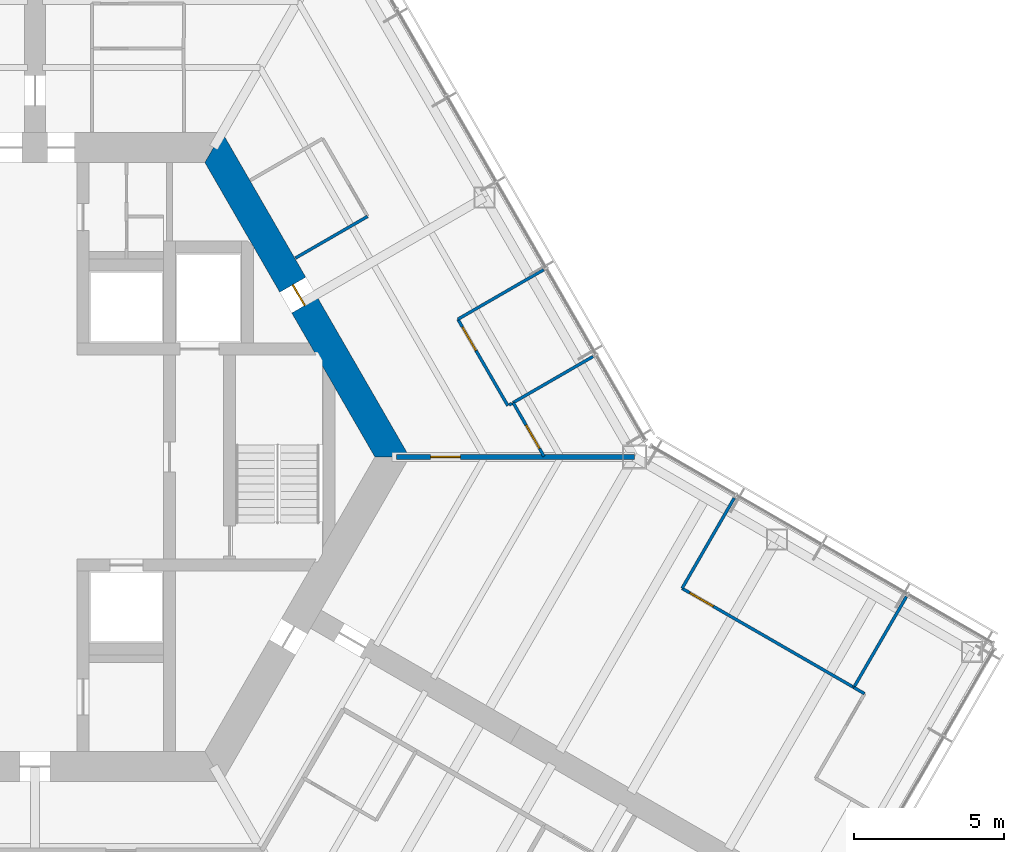
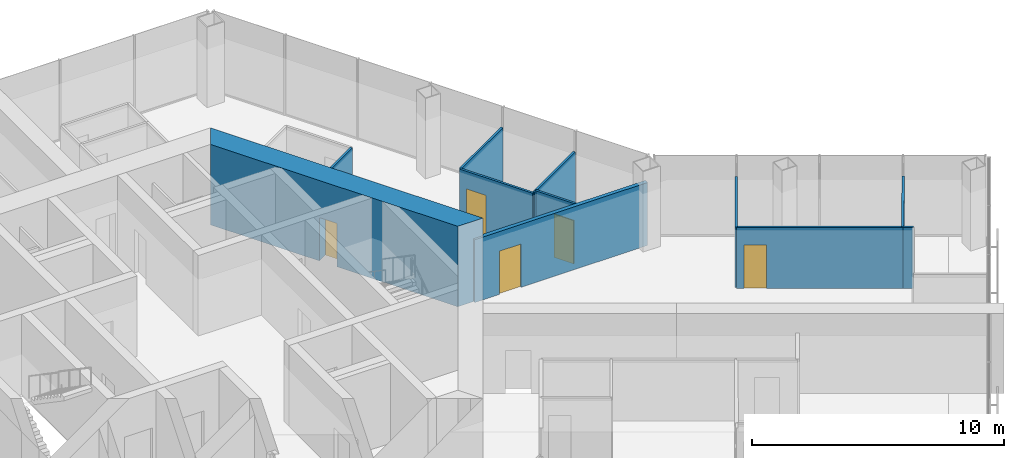
# One storey, part 14 of 18: 12 walls, 5 doors, 5 openings.
"""IFC4 building model written with IfcOpenShell, lengths in metres."""

import ifcopenshell
import ifcopenshell.guid

model = None  # the IFC model being written
_history = None  # IfcOwnerHistory: only IFC2X3 demands one
_inside = {}  # id of a spatial element -> (the spatial element, [elements in it])
_under = {}  # id of a project, library or spatial element -> (it, [spatial elements below it])
_declared = {}  # id of a project -> (the project, [libraries it declares])
_typed = {}  # id of a type object -> (the type object, [elements of that type])
_made_of = {}  # id of a material, layer set ... -> (it, [elements and type objects made of it])


def new_model(schema):
    """Start an empty IFC model of exactly this schema.

    Asked for "IFC4X3", IfcOpenShell would pick the latest addendum, in which some entities
    have other attributes; the version numbers below select the first issue.
    IFC2X3 requires an IfcOwnerHistory on every rooted entity: one is made here for all.
    """
    global model, _history
    if schema == "IFC4X3":
        model = ifcopenshell.file(schema_version=(4, 3, 0, 0))
    else:
        model = ifcopenshell.file(schema=schema)
    _inside.clear()
    _under.clear()
    _declared.clear()
    _typed.clear()
    _made_of.clear()
    _history = None
    if model.schema == "IFC2X3":
        org = make("IfcOrganization", Name="unknown")
        user = make(
            "IfcPersonAndOrganization",
            ThePerson=make("IfcPerson", FamilyName="unknown"),
            TheOrganization=org,
        )
        app = make(
            "IfcApplication",
            ApplicationDeveloper=org,
            Version="unknown",
            ApplicationFullName="unknown",
            ApplicationIdentifier="unknown",
        )
        _history = make(
            "IfcOwnerHistory",
            OwningUser=user,
            OwningApplication=app,
            ChangeAction="ADDED",
            CreationDate=0,
        )
    return model


def make(cls, **values):
    """One entity of the class cls with the attributes given. An attribute that is None is left unset."""
    return model.create_entity(
        cls, **{name: value for name, value in values.items() if value is not None}
    )


def rooted(cls, **values):
    """An entity with a GlobalId (a new one), such as an element, a storey or a relation."""
    return make(cls, GlobalId=ifcopenshell.guid.new(), OwnerHistory=_history, **values)


def si_unit(unit_type, name, prefix=None):
    """IfcSIUnit, for example si_unit("LENGTHUNIT", "METRE", prefix="MILLI")."""
    return make("IfcSIUnit", UnitType=unit_type, Prefix=prefix, Name=name)


def assignment(units):
    """IfcUnitAssignment: the units of a project."""
    return None if units is None else make("IfcUnitAssignment", Units=units)


def point(xyz):
    """IfcCartesianPoint."""
    return None if xyz is None else make("IfcCartesianPoint", Coordinates=xyz)


def direction(xyz):
    """IfcDirection."""
    return None if xyz is None else make("IfcDirection", DirectionRatios=xyz)


def frame(location, z_axis=None, x_axis=None):
    """IfcAxis2Placement3D, a coordinate frame: its origin and axes. An axis left out is left unset."""
    return make(
        "IfcAxis2Placement3D",
        Location=point(location),
        Axis=direction(z_axis),
        RefDirection=direction(x_axis),
    )


def frame_2d(location, x_axis=None):
    """IfcAxis2Placement2D, a coordinate frame in the plane: its origin and x axis."""
    return make(
        "IfcAxis2Placement2D", Location=point(location), RefDirection=direction(x_axis)
    )


def origin():
    """The frame at (0, 0, 0) with its axes left unset."""
    return frame((0.0, 0.0, 0.0))


def place(relative_to, where):
    """IfcLocalPlacement: puts the frame where relative to a parent placement (None: the world)."""
    return make(
        "IfcLocalPlacement", PlacementRelTo=relative_to, RelativePlacement=where
    )


def context(
    kind, dimensions, precision=None, world=None, true_north=None, identifier=None
):
    """IfcGeometricRepresentationContext, for example the 3D "Model" context."""
    return make(
        "IfcGeometricRepresentationContext",
        ContextIdentifier=identifier,
        ContextType=kind,
        CoordinateSpaceDimension=dimensions,
        Precision=precision,
        WorldCoordinateSystem=world,
        TrueNorth=true_north,
    )


def subcontext(parent, identifier, kind, view, scale=None):
    """IfcGeometricRepresentationSubContext, for example "Body" below "Model"."""
    return make(
        "IfcGeometricRepresentationSubContext",
        ContextIdentifier=identifier,
        ContextType=kind,
        ParentContext=parent,
        TargetScale=scale,
        TargetView=view,
    )


def project(units=None, contexts=None):
    """IfcProject with its units and contexts."""
    return rooted(
        "IfcProject",
        Name="project",
        RepresentationContexts=contexts,
        UnitsInContext=assignment(units),
    )


def spatial(cls, under=None, at=None, **own):
    """A site, building, storey or space (cls), placed at a placement, below another one or the project."""
    s = rooted(cls, ObjectPlacement=at, **own)
    if under is not None:
        _under.setdefault(under.id(), (under, []))[1].append(s)
    return s


def polyline(points):
    """IfcPolyline through the points."""
    return make("IfcPolyline", Points=[point(p) for p in points])


def profile(cls, at=None, kind="AREA", **sizes):
    """A parametric profile (cls). Its sizes go by their IFC names, for example OverallWidth=200.0."""
    return make(cls, ProfileType=kind, Position=at, **sizes)


def rectangle(**sizes):
    """IfcRectangleProfileDef."""
    return profile("IfcRectangleProfileDef", **sizes)


def outline(outer, holes=None, kind="AREA"):
    """IfcArbitraryClosedProfileDef: a profile drawn as a closed curve; with holes, ...WithVoids."""
    if holes is None:
        return make("IfcArbitraryClosedProfileDef", ProfileType=kind, OuterCurve=outer)
    return make(
        "IfcArbitraryProfileDefWithVoids",
        ProfileType=kind,
        OuterCurve=outer,
        InnerCurves=holes,
    )


def extrude(swept, where, along, depth):
    """IfcExtrudedAreaSolid: the profile swept, set in the frame where, extruded along a direction by depth."""
    return make(
        "IfcExtrudedAreaSolid",
        SweptArea=swept,
        Position=where,
        ExtrudedDirection=direction(along),
        Depth=depth,
    )


def shape(context_of_items, identifier, shape_type, items):
    """IfcShapeRepresentation: the items that make up one representation, for example the "Body"."""
    return make(
        "IfcShapeRepresentation",
        ContextOfItems=context_of_items,
        RepresentationIdentifier=identifier,
        RepresentationType=shape_type,
        Items=items,
    )


def material(Name=None, Category=None):
    """IfcMaterial."""
    return make("IfcMaterial", Name=Name, Category=Category)


def layer(
    of_material, thickness, ventilated=None, Name=None, Category=None, Priority=None
):
    """IfcMaterialLayer: one layer of a wall or slab, of a material (None: an air gap)."""
    return make(
        "IfcMaterialLayer",
        Material=of_material,
        LayerThickness=thickness,
        IsVentilated=ventilated,
        Name=Name,
        Category=Category,
        Priority=Priority,
    )


def layer_set(layers, Name=None):
    """IfcMaterialLayerSet."""
    return make("IfcMaterialLayerSet", MaterialLayers=layers, LayerSetName=Name)


def made_of(thing, what):
    """Note that an element or type object is made of a material, layer set ...; save() writes the relation."""
    if what is not None:
        _made_of.setdefault(what.id(), (what, []))[1].append(thing)
    return thing


def type_object(cls, material=None, **own):
    """A type object (cls), such as IfcWallType, which elements share."""
    return made_of(rooted(cls, **own), material)


def element(
    cls,
    number,
    at=None,
    inside=None,
    cuts=None,
    type_object=None,
    material=None,
    context=None,
    identifier="Body",
    shape_type=None,
    held_by="IfcProductDefinitionShape",
    body=None,
    shapes=None,
    **own,
):
    """One element of the class cls, such as IfcWall. Its Tag is "e" and its number.

    at: its placement. inside: the storey or other place that contains it. cuts: it is an
    opening in that element (IfcRelVoidsElement). A single representation is given by context,
    identifier, shape_type and body (its items); several are given by shapes. held_by: the class
    of the entity that holds the representations. save() writes the other relations.
    """
    e = rooted(cls, Tag="e%d" % number, ObjectPlacement=at, **own)
    if body is not None:
        shapes = [shape(context, identifier, shape_type, body)]
    if shapes is not None:
        e.Representation = make(held_by, Representations=shapes)
    if inside is not None:
        _inside.setdefault(inside.id(), (inside, []))[1].append(e)
    if cuts is not None:
        rooted(
            "IfcRelVoidsElement", RelatingBuildingElement=cuts, RelatedOpeningElement=e
        )
    if type_object is not None:
        _typed.setdefault(type_object.id(), (type_object, []))[1].append(e)
    return made_of(e, material)


def fill(opening, filler):
    """IfcRelFillsElement: the door or window that sits in an opening."""
    return rooted(
        "IfcRelFillsElement",
        RelatingOpeningElement=opening,
        RelatedBuildingElement=filler,
    )


def aggregate(whole, parts):
    """IfcRelAggregates: a whole, such as a stair, and the parts it consists of."""
    return rooted("IfcRelAggregates", RelatingObject=whole, RelatedObjects=parts)


def save(model, path):
    """Write the relations noted so far, then the file.

    IfcRelAggregates (storeys below a building ...), IfcRelContainedInSpatialStructure (elements
    in a storey), IfcRelDefinesByType, IfcRelAssociatesMaterial and IfcRelDeclares: one each for
    every whole, place, type object, material and project.
    """
    for whole, parts in _under.values():
        aggregate(whole, parts)
    for where, things in _inside.values():
        rooted(
            "IfcRelContainedInSpatialStructure",
            RelatedElements=things,
            RelatingStructure=where,
        )
    for kind, things in _typed.values():
        rooted("IfcRelDefinesByType", RelatedObjects=things, RelatingType=kind)
    for what, things in _made_of.values():
        rooted("IfcRelAssociatesMaterial", RelatedObjects=things, RelatingMaterial=what)
    for by, libraries in _declared.values():
        rooted("IfcRelDeclares", RelatingContext=by, RelatedDefinitions=libraries)
    model.write(path)


model = new_model("IFC4")

# Units and contexts
model_context = context("Model", 3, precision=1e-05, world=origin(), true_north=direction((0.0, 1.0)))
body_context = subcontext(model_context, "Body", "Model", "MODEL_VIEW")
ifc_project = project(units=[si_unit("LENGTHUNIT", "METRE"), si_unit("AREAUNIT", "SQUARE_METRE"), si_unit("VOLUMEUNIT", "CUBIC_METRE"), si_unit("PLANEANGLEUNIT", "RADIAN"), si_unit("MASSUNIT", "GRAM", prefix="KILO")], contexts=[model_context])

# Site, building, storey
site_placement = place(None, origin())
site = spatial("IfcSite", under=ifc_project, at=site_placement, CompositionType="ELEMENT")
building_placement = place(site_placement, origin())
building = spatial("IfcBuilding", under=site, at=building_placement, Name="Kasaneha Research Tower", CompositionType="ELEMENT")
storey_placement = place(building_placement, frame((0.0, 0.0, 140.89990234375)))
storey = spatial("IfcBuildingStorey", under=building, at=storey_placement, Name="L35", CompositionType="ELEMENT", Elevation=140.89990234375)

# Wall, opening, door
ifc_material_1 = material(Name="Concrete Fc70", Category="concrete")
ifc_layer_1 = layer(ifc_material_1, 1.0)
ifc_layer_set_1 = layer_set([ifc_layer_1], Name="Core wall 1000 Fc70")
wall_type_1 = type_object("IfcWallType", Name="Core wall 1000 Fc70", PredefinedType="SHEAR", material=ifc_layer_set_1)
wall_1_placement = place(storey_placement, frame((11.92236328125, 0.0, 0.0), z_axis=(0.0, 0.0, 1.0), x_axis=(-0.500004296715, 0.866022923061, 0.0)))
wall_1 = element("IfcWall", 1, at=wall_1_placement, inside=storey, type_object=wall_type_1, Name="Core wall 030 L35", PredefinedType="SHEAR", context=body_context, shape_type="SweptSolid", body=[
    extrude(outline(polyline([(-0.28857421875, -0.5), (5.83544921875, -0.5), (6.635498046875, -0.5), (12.2109375, -0.5), (11.6337890625, 0.5), (6.635498046875, 0.5), (5.83544921875, 0.5), (0.28857421875, 0.5), (-0.28857421875, -0.5)])), origin(), (0.0, 0.0, 1.0), 3.900146484375),
])
opening_1_placement = place(wall_1_placement, frame((5.83544921875, 0.0, 0.0)))
opening_1 = element("IfcOpeningElement", 2, at=opening_1_placement, cuts=wall_1, Name="Opening L35-D04", PredefinedType="OPENING", context=body_context, shape_type="SweptSolid", body=[
    extrude(rectangle(XDim=0.800048828125, YDim=2.10009765625, at=frame_2d((0.39990234375, 1.050048828125))), frame((0.0, 0.510009765625, 0.0), z_axis=(0.0, -1.0, 0.0), x_axis=(1.0, 0.0, 0.0)), (0.0, 0.0, 1.0), 1.02001953125),
])
ifc_material_2 = material(Name="Steel", Category="steel")
door_type_1 = type_object("IfcDoorType", Name="Riser access door FD60 800x2100", OperationType="NOTDEFINED", PredefinedType="DOOR", material=ifc_material_2)
door_1_placement = place(opening_1_placement, origin())
door_1 = element("IfcDoor", 3, at=door_1_placement, inside=storey, type_object=door_type_1, Name="Pipe riser door L35-D04", OperationType="SINGLE_SWING_RIGHT", OverallHeight=2.10009765625, OverallWidth=0.800048828125, PredefinedType="DOOR", context=body_context, shape_type="SweptSolid", body=[
    extrude(rectangle(XDim=0.800048828125, YDim=2.10009765625, at=frame_2d((0.39990234375, 1.050048828125))), frame((0.0, 0.02490234375, 0.0), z_axis=(0.0, -1.0, 0.0), x_axis=(1.0, 0.0, 0.0)), (0.0, 0.0, 1.0), 0.050048828125),
])
fill(opening_1, door_1)

# Walls
ifc_material_3 = material(Name="Gypsum board on steel studs, one layer each side", Category="steel")
ifc_layer_2 = layer(ifc_material_3, 0.10009765625)
ifc_layer_set_2 = layer_set([ifc_layer_2], Name="Office partition 100")
wall_type_2 = type_object("IfcWallType", Name="Office partition 100", PredefinedType="PARTITIONING", material=ifc_layer_set_2)
wall_2_placement = place(storey_placement, frame((11.099609375, 8.02490234375, 0.0), z_axis=(0.0, 0.0, 1.0), x_axis=(-0.866056901187, -0.49994544093, 0.0)))
element("IfcWall", 4, at=wall_2_placement, inside=storey, type_object=wall_type_2, Name="Office partition FAE09 L35", PredefinedType="PARTITIONING", context=body_context, shape_type="SweptSolid", body=[
    extrude(rectangle(XDim=2.780029296875, YDim=0.10009765625, at=frame_2d((1.39013671875, 0.0))), origin(), (0.0, 0.0, 1.0), 2.9501953125),
])
wall_3_placement = place(storey_placement, frame((18.619873046875, 3.3505859375, 0.0), z_axis=(0.0, 0.0, 1.0), x_axis=(-0.866043267704, -0.499969057507, 0.0)))
element("IfcWall", 5, at=wall_3_placement, inside=storey, type_object=wall_type_2, Name="Office partition FAE10 L35", PredefinedType="PARTITIONING", context=body_context, shape_type="SweptSolid", body=[
    extrude(rectangle(XDim=3.085205078125, YDim=0.10009765625, at=frame_2d((1.54248046875, 0.0))), origin(), (0.0, 0.0, 1.0), 2.9501953125),
])
wall_4_placement = place(storey_placement, frame((14.11376953125, 4.59521484375, 0.0), z_axis=(0.0, 0.0, 1.0), x_axis=(0.866020751647, 0.500008057651, 0.0)))
element("IfcWall", 6, at=wall_4_placement, inside=storey, type_object=wall_type_2, Name="Office partition FAE11 L35", PredefinedType="PARTITIONING", context=body_context, shape_type="SweptSolid", body=[
    extrude(rectangle(XDim=3.30517578125, YDim=0.10009765625, at=frame_2d((1.652587890625, 0.0))), origin(), (0.0, 0.0, 1.0), 2.9501953125),
])

# Wall, opening, door
wall_5_placement = place(storey_placement, frame((15.779296875, 1.71044921875, 0.0), z_axis=(0.0, 0.0, 1.0), x_axis=(-0.500001606164, 0.866024476463, 0.0)))
wall_5 = element("IfcWall", 7, at=wall_5_placement, inside=storey, type_object=wall_type_2, Name="Office partition FAE12 L35", PredefinedType="PARTITIONING", context=body_context, shape_type="SweptSolid", body=[
    extrude(rectangle(XDim=3.3310546875, YDim=0.10009765625, at=frame_2d((1.66552734375, 0.0))), origin(), (0.0, 0.0, 1.0), 2.9501953125),
])
opening_2_placement = place(wall_5_placement, frame((2.131103515625, 0.0, 0.0)))
opening_2 = element("IfcOpeningElement", 8, at=opening_2_placement, cuts=wall_5, Name="Opening L35-D30", PredefinedType="OPENING", context=body_context, shape_type="SweptSolid", body=[
    extrude(rectangle(XDim=0.89990234375, YDim=2.10009765625, at=frame_2d((0.449951171875, 1.050048828125))), frame((0.0, 0.06005859375, 0.0), z_axis=(0.0, -1.0, 0.0), x_axis=(1.0, 0.0, 0.0)), (0.0, 0.0, 1.0), 0.1201171875),
])
ifc_material_4 = material(Name="Timber veneer", Category="wood")
door_type_2 = type_object("IfcDoorType", Name="Office door 900x2100", OperationType="SINGLE_SWING_LEFT", PredefinedType="DOOR", material=ifc_material_4)
door_2_placement = place(opening_2_placement, origin())
door_2 = element("IfcDoor", 9, at=door_2_placement, inside=storey, type_object=door_type_2, Name="Reception room door L35-D30", OperationType="SINGLE_SWING_RIGHT", OverallHeight=2.10009765625, OverallWidth=0.89990234375, PredefinedType="DOOR", context=body_context, shape_type="SweptSolid", body=[
    extrude(rectangle(XDim=0.89990234375, YDim=2.10009765625, at=frame_2d((0.449951171875, 1.050048828125))), frame((0.0, 0.02490234375, 0.0), z_axis=(0.0, -1.0, 0.0), x_axis=(1.0, 0.0, 0.0)), (0.0, 0.0, 1.0), 0.050048828125),
])
fill(opening_2, door_2)

wall_6_placement = place(storey_placement, frame((16.986083984375, 0.02001953125, 0.0), z_axis=(0.0, 0.0, 1.0), x_axis=(-0.498096123952, 0.867121820337, 0.0)))
wall_6 = element("IfcWall", 10, at=wall_6_placement, inside=storey, type_object=wall_type_2, Name="Office partition FAE13 L35", PredefinedType="PARTITIONING", context=body_context, shape_type="SweptSolid", body=[
    extrude(rectangle(XDim=2.0673828125, YDim=0.10009765625, at=frame_2d((1.03369140625, 0.0))), origin(), (0.0, 0.0, 1.0), 2.9501953125),
])
opening_3_placement = place(wall_6_placement, frame((0.300048828125, 0.0, 0.0)))
opening_3 = element("IfcOpeningElement", 11, at=opening_3_placement, cuts=wall_6, Name="Opening L35-D31", PredefinedType="OPENING", context=body_context, shape_type="SweptSolid", body=[
    extrude(rectangle(XDim=0.89990234375, YDim=2.10009765625, at=frame_2d((0.449951171875, 1.050048828125))), frame((0.0, 0.06005859375, 0.0), z_axis=(0.0, -1.0, 0.0), x_axis=(1.0, 0.0, 0.0)), (0.0, 0.0, 1.0), 0.1201171875),
])
door_3_placement = place(opening_3_placement, origin())
door_3 = element("IfcDoor", 12, at=door_3_placement, inside=storey, type_object=door_type_2, Name="Project room door L35-D31", OperationType="SINGLE_SWING_LEFT", OverallHeight=2.10009765625, OverallWidth=0.89990234375, PredefinedType="DOOR", context=body_context, shape_type="SweptSolid", body=[
    extrude(rectangle(XDim=0.89990234375, YDim=2.10009765625, at=frame_2d((0.449951171875, 1.050048828125))), frame((0.0, 0.02490234375, 0.0), z_axis=(0.0, -1.0, 0.0), x_axis=(1.0, 0.0, 0.0)), (0.0, 0.0, 1.0), 0.050048828125),
])
fill(opening_3, door_3)

# Walls
wall_7_placement = place(storey_placement, frame((29.077392578125, -4.65771484375, 0.0), z_axis=(0.0, 0.0, 1.0), x_axis=(-0.501313567819, -0.865265685625, 0.0)))
element("IfcWall", 13, at=wall_7_placement, inside=storey, type_object=wall_type_2, Name="Office partition FCE01 L35", PredefinedType="PARTITIONING", context=body_context, shape_type="SweptSolid", body=[
    extrude(rectangle(XDim=3.5048828125, YDim=0.10009765625, at=frame_2d((1.75244140625, 0.0))), origin(), (0.0, 0.0, 1.0), 2.9501953125),
])
wall_8_placement = place(storey_placement, frame((21.59228515625, -4.38330078125, 0.0), z_axis=(0.0, 0.0, 1.0), x_axis=(0.500009906705, 0.86601968407, 0.0)))
element("IfcWall", 14, at=wall_8_placement, inside=storey, type_object=wall_type_2, Name="Office partition FCE02 L35", PredefinedType="PARTITIONING", context=body_context, shape_type="SweptSolid", body=[
    extrude(rectangle(XDim=3.47998046875, YDim=0.10009765625, at=frame_2d((1.739990234375, 0.0))), origin(), (0.0, 0.0, 1.0), 2.9501953125),
])

# Wall, opening, door
wall_9_placement = place(storey_placement, frame((27.326904296875, -7.689697265625, 0.0), z_axis=(0.0, 0.0, 1.0), x_axis=(-0.866318796728, 0.499491483847, 0.0)))
wall_9 = element("IfcWall", 15, at=wall_9_placement, inside=storey, type_object=wall_type_2, Name="Office partition FCE03 L35", PredefinedType="PARTITIONING", context=body_context, shape_type="SweptSolid", body=[
    extrude(rectangle(XDim=6.61962890625, YDim=0.10009765625, at=frame_2d((3.309814453125, 0.0))), origin(), (0.0, 0.0, 1.0), 2.9501953125),
])
opening_4_placement = place(wall_9_placement, frame((5.419677734375, 0.0, 0.0)))
opening_4 = element("IfcOpeningElement", 16, at=opening_4_placement, cuts=wall_9, Name="Opening L35-D43", PredefinedType="OPENING", context=body_context, shape_type="SweptSolid", body=[
    extrude(rectangle(XDim=0.89990234375, YDim=2.10009765625, at=frame_2d((0.449951171875, 1.050048828125))), frame((0.0, 0.06005859375, 0.0), z_axis=(0.0, -1.0, 0.0), x_axis=(1.0, 0.0, 0.0)), (0.0, 0.0, 1.0), 0.1201171875),
])
door_4_placement = place(opening_4_placement, origin())
door_4 = element("IfcDoor", 17, at=door_4_placement, inside=storey, type_object=door_type_2, Name="Reading room door L35-D43", OperationType="SINGLE_SWING_RIGHT", OverallHeight=2.10009765625, OverallWidth=0.89990234375, PredefinedType="DOOR", context=body_context, shape_type="SweptSolid", body=[
    extrude(rectangle(XDim=0.89990234375, YDim=2.10009765625, at=frame_2d((0.449951171875, 1.050048828125))), frame((0.0, 0.02490234375, 0.0), z_axis=(0.0, -1.0, 0.0), x_axis=(1.0, 0.0, 0.0)), (0.0, 0.0, 1.0), 0.050048828125),
])
fill(opening_4, door_4)

# Walls
wall_10_placement = place(storey_placement, frame((27.678466796875, -7.8984375, 0.0), z_axis=(0.0, 0.0, 1.0), x_axis=(-0.859748322004, 0.510717948394, 0.0)))
element("IfcWall", 18, at=wall_10_placement, inside=storey, type_object=wall_type_2, Name="Office partition FCE05 L35", PredefinedType="PARTITIONING", context=body_context, shape_type="SweptSolid", body=[
    extrude(rectangle(XDim=0.4091796875, YDim=0.10009765625, at=frame_2d((0.20458984375, 0.0))), origin(), (0.0, 0.0, 1.0), 2.9501953125),
])
wall_11_placement = place(storey_placement, frame((15.82275390625, 1.7353515625, 0.0), z_axis=(0.0, 0.0, 1.0), x_axis=(0.867234405398, 0.497900076415, 0.0)))
element("IfcWall", 19, at=wall_11_placement, inside=storey, type_object=wall_type_2, Name="Office partition closer PT5 L35", PredefinedType="PARTITIONING", context=body_context, shape_type="SweptSolid", body=[
    extrude(rectangle(XDim=0.1044921875, YDim=0.10009765625, at=frame_2d((0.05224609375, 0.0))), origin(), (0.0, 0.0, 1.0), 2.9501953125),
])

# Wall, opening, door
ifc_material_5 = material(Name="Gypsum board on steel studs, two layers each side", Category="steel")
ifc_layer_3 = layer(ifc_material_5, 0.175048828125)
ifc_layer_set_3 = layer_set([ifc_layer_3], Name="Tenancy fire partition 175")
wall_type_3 = type_object("IfcWallType", Name="Tenancy fire partition 175", PredefinedType="PARTITIONING", material=ifc_layer_set_3)
wall_12_placement = place(storey_placement, frame((12.069580078125, 0.0, 0.0), z_axis=(0.0, 0.0, 1.0), x_axis=(1.0, 0.0, 0.0)))
wall_12 = element("IfcWall", 20, at=wall_12_placement, inside=storey, type_object=wall_type_3, Name="Tenancy fire partition T000 L35", PredefinedType="PARTITIONING", context=body_context, shape_type="SweptSolid", body=[
    extrude(rectangle(XDim=7.930419921875, YDim=0.175048828125, at=frame_2d((3.96533203125, 0.0))), origin(), (0.0, 0.0, 1.0), 3.050048828125),
])
opening_5_placement = place(wall_12_placement, frame((1.1298828125, 0.0, 0.0)))
opening_5 = element("IfcOpeningElement", 21, at=opening_5_placement, cuts=wall_12, Name="Opening L35-D24", PredefinedType="OPENING", context=body_context, shape_type="SweptSolid", body=[
    extrude(rectangle(XDim=1.0, YDim=2.10009765625, at=frame_2d((0.5, 1.050048828125))), frame((0.0, 0.09765625, 0.0), z_axis=(0.0, -1.0, 0.0), x_axis=(1.0, 0.0, 0.0)), (0.0, 0.0, 1.0), 0.195068359375),
])
ifc_material_6 = material(Name="Steel", Category="steel")
door_type_3 = type_object("IfcDoorType", Name="Suite entrance door FD60 1000x2100", OperationType="NOTDEFINED", PredefinedType="DOOR", material=ifc_material_6)
door_5_placement = place(opening_5_placement, origin())
door_5 = element("IfcDoor", 22, at=door_5_placement, inside=storey, type_object=door_type_3, Name="Connecting door L35-D24", OperationType="SINGLE_SWING_LEFT", OverallHeight=2.10009765625, OverallWidth=1.0, PredefinedType="DOOR", context=body_context, shape_type="SweptSolid", body=[
    extrude(rectangle(XDim=1.0, YDim=2.10009765625, at=frame_2d((0.5, 1.050048828125))), frame((0.0, 0.02490234375, 0.0), z_axis=(0.0, -1.0, 0.0), x_axis=(1.0, 0.0, 0.0)), (0.0, 0.0, 1.0), 0.050048828125),
])
fill(opening_5, door_5)

save(model, "model.ifc")
